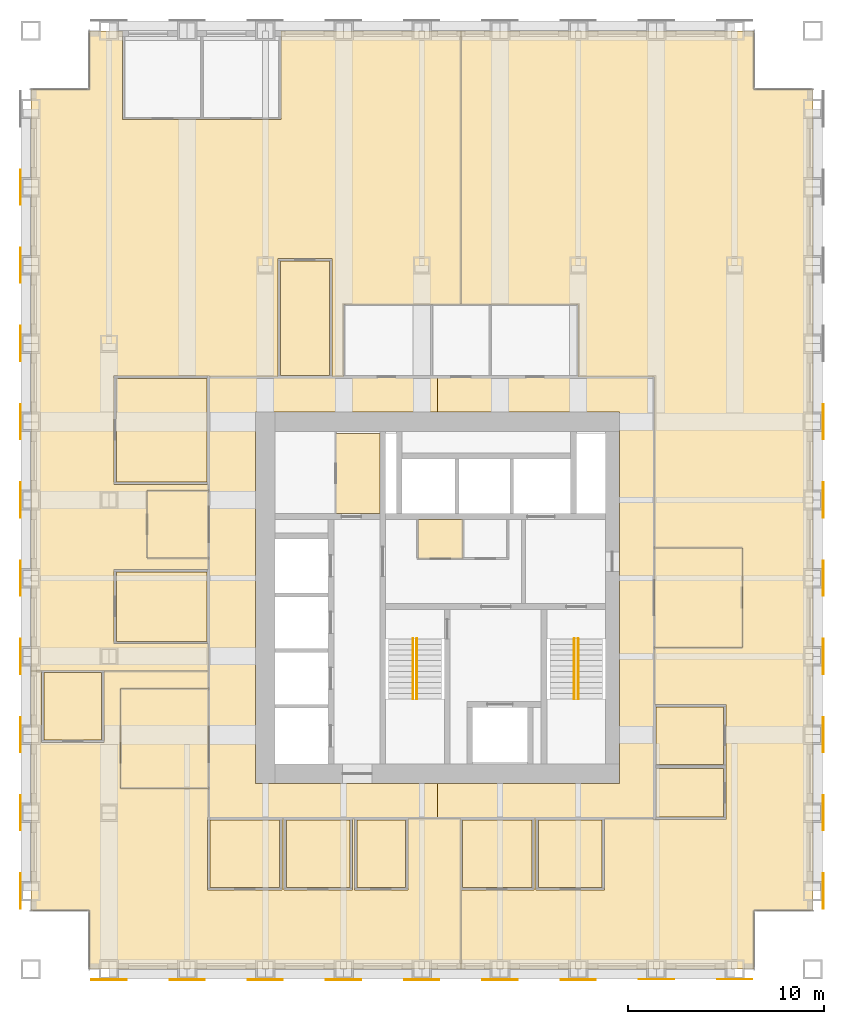
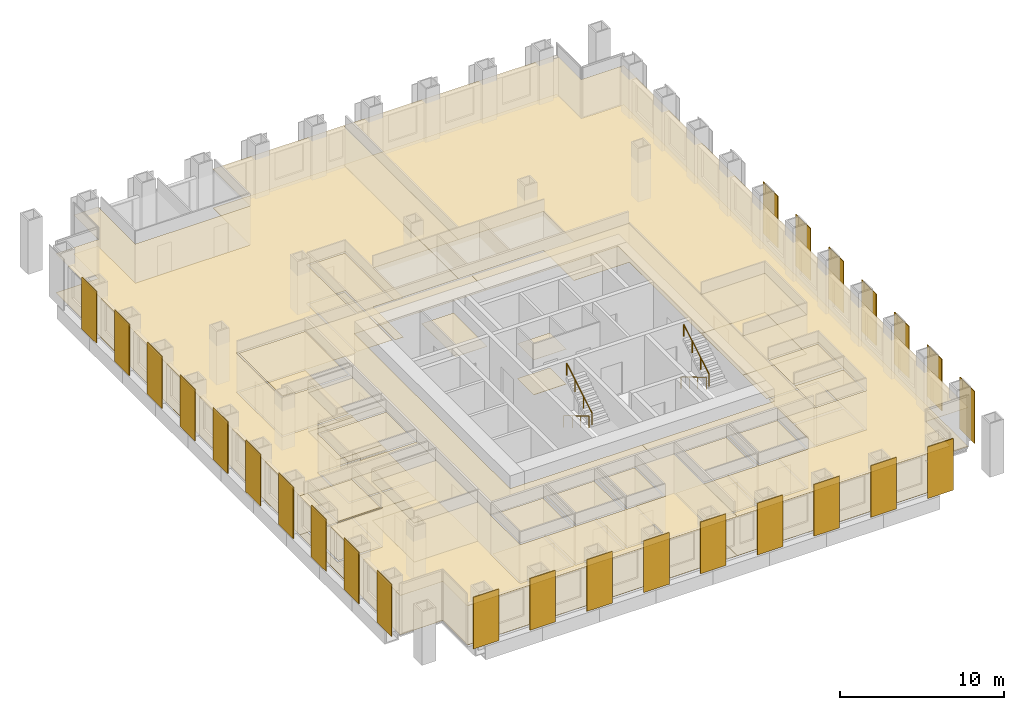
# One storey, part 13 of 14: 39 coverings, 26 shading devices, 4 railings.
"""IFC4 building model written with IfcOpenShell, lengths in metres."""

from ifc_helpers import new_model, si_unit, direction, frame, origin, origin_2d, place, context, subcontext, project, spatial, polyline, rectangle, circle, outline, extrude, material, layer, layer_set, type_object, element, save


model = new_model("IFC4")

# Units and contexts
model_context = context("Model", 3, precision=1e-05, world=origin(), true_north=direction((0.0, 1.0)))
body_context = subcontext(model_context, "Body", "Model", "MODEL_VIEW")
ifc_project = project(units=[si_unit("LENGTHUNIT", "METRE"), si_unit("AREAUNIT", "SQUARE_METRE"), si_unit("VOLUMEUNIT", "CUBIC_METRE"), si_unit("PLANEANGLEUNIT", "RADIAN"), si_unit("MASSUNIT", "GRAM", prefix="KILO")], contexts=[model_context])

# Site, building, storey
site_placement = place(None, origin())
site = spatial("IfcSite", under=ifc_project, at=site_placement, CompositionType="ELEMENT")
building_placement = place(site_placement, origin())
building = spatial("IfcBuilding", under=site, at=building_placement, Name="Rimbunsela Tower", CompositionType="ELEMENT")
storey_placement = place(building_placement, frame((0.0, 0.0, 183.800048828125)))
storey = spatial("IfcBuildingStorey", under=building, at=storey_placement, Name="L44", CompositionType="ELEMENT", Elevation=183.800048828125)

# Coverings
ifc_material_1 = material(Name="Nylon carpet tile", Category="textile")
ifc_layer_1 = layer(ifc_material_1, 0.010009765625)
ifc_layer_set_1 = layer_set([ifc_layer_1], Name="Carpet tile 10")
covering_type_1 = type_object("IfcCoveringType", Name="Carpet tile 10", PredefinedType="FLOORING", material=ifc_layer_set_1)
covering_1_placement = place(storey_placement, origin())
element("IfcCovering", 1, at=covering_1_placement, inside=storey, type_object=covering_type_1, Name="Floor finish Open office", PredefinedType="FLOORING", context=body_context, shape_type="SweptSolid", body=[
    extrude(outline(polyline([(18.85009765625, 15.699951171875), (18.949951171875, 15.699951171875), (18.949951171875, 12.050048828125), (22.449951171875, 12.050048828125), (22.449951171875, 15.699951171875), (22.550048828125, 15.699951171875), (22.550048828125, 12.050048828125), (25.300048828125, 12.050048828125), (25.300048828125, 15.699951171875), (27.9990234375, 15.699951171875), (27.9990234375, 8.0), (15.10009765625, 8.0), (9.0, 8.0), (9.0, 11.0), (6.0, 11.0), (6.0, 23.2490234375), (6.550048828125, 23.2490234375), (6.550048828125, 19.60009765625), (9.75, 19.60009765625), (9.75, 23.2490234375), (15.10009765625, 23.2490234375), (15.10009765625, 22.34912109375), (10.60009765625, 22.34912109375), (10.60009765625, 17.2490234375), (15.10009765625, 17.2490234375), (15.10009765625, 15.75), (15.050048828125, 15.75), (15.050048828125, 12.050048828125), (15.10009765625, 12.050048828125), (18.85009765625, 12.050048828125), (18.85009765625, 15.699951171875)])), origin(), (0.0, 0.0, 1.0), 0.010009765625),
])
covering_2_placement = place(storey_placement, origin())
element("IfcCovering", 2, at=covering_2_placement, inside=storey, type_object=covering_type_1, Name="Floor finish Open office", PredefinedType="FLOORING", context=body_context, shape_type="SweptSolid", body=[
    extrude(outline(polyline([(14.699951171875, 51.449951171875), (14.800048828125, 51.449951171875), (15.10009765625, 51.449951171875), (18.800048828125, 51.449951171875), (18.800048828125, 56.0), (27.9990234375, 56.0), (27.9990234375, 42.0), (22.0, 42.0), (22.0, 38.300048828125), (21.39990234375, 38.300048828125), (21.39990234375, 44.35009765625), (18.64990234375, 44.35009765625), (18.64990234375, 38.300048828125), (15.14990234375, 38.300048828125), (15.14990234375, 38.35009765625), (15.10009765625, 38.35009765625), (10.25, 38.35009765625), (10.25, 32.800048828125), (15.10009765625, 32.800048828125), (15.10009765625, 32.47509765625), (11.949951171875, 32.47509765625), (11.949951171875, 29.02490234375), (15.10009765625, 29.02490234375), (15.10009765625, 28.449951171875), (10.25, 28.449951171875), (10.25, 24.64990234375), (15.10009765625, 24.64990234375), (15.10009765625, 23.2509765625), (6.0, 23.2509765625), (6.0, 53.0), (9.0, 53.0), (9.0, 56.0), (10.699951171875, 56.0), (10.699951171875, 51.449951171875), (14.699951171875, 51.449951171875)])), origin(), (0.0, 0.0, 1.0), 0.010009765625),
])
covering_3_placement = place(storey_placement, origin())
element("IfcCovering", 3, at=covering_3_placement, inside=storey, type_object=covering_type_1, Name="Floor finish Open office", PredefinedType="FLOORING", context=body_context, shape_type="SweptSolid", body=[
    extrude(outline(polyline([(28.0009765625, 12.050048828125), (31.75, 12.050048828125), (31.75, 15.699951171875), (31.85009765625, 15.699951171875), (31.85009765625, 12.050048828125), (35.35009765625, 12.050048828125), (35.35009765625, 15.699951171875), (37.85009765625, 15.699951171875), (37.85009765625, 15.64990234375), (37.89990234375, 15.64990234375), (41.550048828125, 15.64990234375), (41.550048828125, 18.35009765625), (41.550048828125, 18.39990234375), (41.550048828125, 21.550048828125), (37.89990234375, 21.550048828125), (37.89990234375, 24.449951171875), (42.39990234375, 24.449951171875), (42.39990234375, 29.550048828125), (37.89990234375, 29.550048828125), (37.89990234375, 38.300048828125), (34.0, 38.300048828125), (34.0, 42.0), (28.0009765625, 42.0), (28.0009765625, 56.0), (37.89990234375, 56.0), (43.0, 56.0), (43.0, 53.0), (46.0, 53.0), (46.0, 11.0), (43.0, 11.0), (43.0, 8.0), (37.89990234375, 8.0), (28.0009765625, 8.0), (28.0009765625, 12.050048828125)])), origin(), (0.0, 0.0, 1.0), 0.010009765625),
])
covering_4_placement = place(storey_placement, origin())
element("IfcCovering", 4, at=covering_4_placement, inside=storey, type_object=covering_type_1, Name="Floor finish Reception", PredefinedType="FLOORING", context=body_context, shape_type="SweptSolid", body=[
    extrude(outline(polyline([(15.10009765625, 17.2490234375), (15.10009765625, 22.34912109375), (10.60009765625, 22.34912109375), (10.60009765625, 17.2490234375), (15.10009765625, 17.2490234375)])), origin(), (0.0, 0.0, 1.0), 0.010009765625),
])
covering_5_placement = place(storey_placement, origin())
element("IfcCovering", 5, at=covering_5_placement, inside=storey, type_object=covering_type_1, Name="Floor finish Reception", PredefinedType="FLOORING", context=body_context, shape_type="SweptSolid", body=[
    extrude(outline(polyline([(15.10009765625, 29.02490234375), (15.10009765625, 32.47509765625), (11.949951171875, 32.47509765625), (11.949951171875, 29.02490234375), (15.10009765625, 29.02490234375)])), origin(), (0.0, 0.0, 1.0), 0.010009765625),
])
covering_6_placement = place(storey_placement, origin())
element("IfcCovering", 6, at=covering_6_placement, inside=storey, type_object=covering_type_1, Name="Floor finish Reception", PredefinedType="FLOORING", context=body_context, shape_type="SweptSolid", body=[
    extrude(outline(polyline([(42.39990234375, 24.449951171875), (42.39990234375, 29.550048828125), (37.89990234375, 29.550048828125), (37.89990234375, 24.449951171875), (42.39990234375, 24.449951171875)])), origin(), (0.0, 0.0, 1.0), 0.010009765625),
])
covering_7_placement = place(storey_placement, origin())
element("IfcCovering", 7, at=covering_7_placement, inside=storey, type_object=covering_type_1, Name="Floor finish Pantry", PredefinedType="FLOORING", context=body_context, shape_type="SweptSolid", body=[
    extrude(outline(polyline([(15.02490234375, 32.925048828125), (15.02490234375, 38.22509765625), (10.375, 38.22509765625), (10.375, 32.925048828125), (15.02490234375, 32.925048828125)])), origin(), (0.0, 0.0, 1.0), 0.010009765625),
])
covering_8_placement = place(storey_placement, origin())
element("IfcCovering", 8, at=covering_8_placement, inside=storey, type_object=covering_type_1, Name="Floor finish Meeting room", PredefinedType="FLOORING", context=body_context, shape_type="SweptSolid", body=[
    extrude(outline(polyline([(18.72509765625, 12.175048828125), (18.72509765625, 15.625), (15.175048828125, 15.625), (15.175048828125, 12.175048828125), (18.72509765625, 12.175048828125)])), origin(), (0.0, 0.0, 1.0), 0.010009765625),
])
covering_9_placement = place(storey_placement, origin())
element("IfcCovering", 9, at=covering_9_placement, inside=storey, type_object=covering_type_1, Name="Floor finish Pantry", PredefinedType="FLOORING", context=body_context, shape_type="SweptSolid", body=[
    extrude(outline(polyline([(22.324951171875, 12.175048828125), (22.324951171875, 15.625), (19.074951171875, 15.625), (19.074951171875, 12.175048828125), (22.324951171875, 12.175048828125)])), origin(), (0.0, 0.0, 1.0), 0.010009765625),
])
covering_10_placement = place(storey_placement, origin())
element("IfcCovering", 10, at=covering_10_placement, inside=storey, type_object=covering_type_1, Name="Floor finish Print and copy room", PredefinedType="FLOORING", context=body_context, shape_type="SweptSolid", body=[
    extrude(outline(polyline([(25.175048828125, 12.175048828125), (25.175048828125, 15.625), (22.675048828125, 15.625), (22.675048828125, 12.175048828125), (25.175048828125, 12.175048828125)])), origin(), (0.0, 0.0, 1.0), 0.010009765625),
])
covering_11_placement = place(storey_placement, origin())
element("IfcCovering", 11, at=covering_11_placement, inside=storey, type_object=covering_type_1, Name="Floor finish Office", PredefinedType="FLOORING", context=body_context, shape_type="SweptSolid", body=[
    extrude(outline(polyline([(9.625, 19.72509765625), (9.625, 23.175048828125), (6.675048828125, 23.175048828125), (6.675048828125, 19.72509765625), (9.625, 19.72509765625)])), origin(), (0.0, 0.0, 1.0), 0.010009765625),
])
covering_12_placement = place(storey_placement, origin())
element("IfcCovering", 12, at=covering_12_placement, inside=storey, type_object=covering_type_1, Name="Floor finish Meeting room", PredefinedType="FLOORING", context=body_context, shape_type="SweptSolid", body=[
    extrude(outline(polyline([(15.02490234375, 24.77490234375), (15.02490234375, 28.324951171875), (10.375, 28.324951171875), (10.375, 24.77490234375), (15.02490234375, 24.77490234375)])), origin(), (0.0, 0.0, 1.0), 0.010009765625),
])
covering_13_placement = place(storey_placement, origin())
element("IfcCovering", 13, at=covering_13_placement, inside=storey, type_object=covering_type_1, Name="Floor finish Print and copy room", PredefinedType="FLOORING", context=body_context, shape_type="SweptSolid", body=[
    extrude(outline(polyline([(21.27490234375, 38.375), (21.27490234375, 44.22509765625), (18.77490234375, 44.22509765625), (18.77490234375, 38.375), (21.27490234375, 38.375)])), origin(), (0.0, 0.0, 1.0), 0.010009765625),
])
covering_14_placement = place(storey_placement, origin())
element("IfcCovering", 14, at=covering_14_placement, inside=storey, type_object=covering_type_1, Name="Floor finish Meeting room", PredefinedType="FLOORING", context=body_context, shape_type="SweptSolid", body=[
    extrude(outline(polyline([(31.625, 12.175048828125), (31.625, 15.625), (28.074951171875, 15.625), (28.074951171875, 12.175048828125), (31.625, 12.175048828125)])), origin(), (0.0, 0.0, 1.0), 0.010009765625),
])
covering_15_placement = place(storey_placement, origin())
element("IfcCovering", 15, at=covering_15_placement, inside=storey, type_object=covering_type_1, Name="Floor finish Pantry", PredefinedType="FLOORING", context=body_context, shape_type="SweptSolid", body=[
    extrude(outline(polyline([(35.22509765625, 12.175048828125), (35.22509765625, 15.625), (31.97509765625, 15.625), (31.97509765625, 12.175048828125), (35.22509765625, 12.175048828125)])), origin(), (0.0, 0.0, 1.0), 0.010009765625),
])
covering_16_placement = place(storey_placement, origin())
element("IfcCovering", 16, at=covering_16_placement, inside=storey, type_object=covering_type_1, Name="Floor finish Print and copy room", PredefinedType="FLOORING", context=body_context, shape_type="SweptSolid", body=[
    extrude(outline(polyline([(41.425048828125, 15.77490234375), (41.425048828125, 18.27490234375), (37.97509765625, 18.27490234375), (37.97509765625, 15.77490234375), (41.425048828125, 15.77490234375)])), origin(), (0.0, 0.0, 1.0), 0.010009765625),
])
covering_17_placement = place(storey_placement, origin())
element("IfcCovering", 17, at=covering_17_placement, inside=storey, type_object=covering_type_1, Name="Floor finish Office", PredefinedType="FLOORING", context=body_context, shape_type="SweptSolid", body=[
    extrude(outline(polyline([(41.425048828125, 18.47509765625), (41.425048828125, 21.425048828125), (37.97509765625, 21.425048828125), (37.97509765625, 18.47509765625), (41.425048828125, 18.47509765625)])), origin(), (0.0, 0.0, 1.0), 0.010009765625),
])
ifc_material_2 = material(Name="Mineral fibre ceiling tile", Category="gypsum")
ifc_layer_2 = layer(ifc_material_2, 0.02001953125)
ifc_layer_set_2 = layer_set([ifc_layer_2], Name="Ceiling 600 grid")
covering_type_2 = type_object("IfcCoveringType", Name="Ceiling 600 grid", PredefinedType="CEILING", material=ifc_layer_set_2)
covering_18_placement = place(storey_placement, frame((0.0, 0.0, 2.89990234375)))
element("IfcCovering", 18, at=covering_18_placement, inside=storey, type_object=covering_type_2, Name="Ceiling Staff pantry", PredefinedType="CEILING", context=body_context, shape_type="SweptSolid", body=[
    extrude(outline(polyline([(23.85009765625, 31.300048828125), (23.85009765625, 35.39990234375), (21.60009765625, 35.39990234375), (21.60009765625, 31.300048828125), (23.85009765625, 31.300048828125)])), origin(), (0.0, 0.0, 1.0), 0.02001953125),
])
covering_19_placement = place(storey_placement, frame((0.0, 0.0, 2.89990234375)))
element("IfcCovering", 19, at=covering_19_placement, inside=storey, type_object=covering_type_2, Name="Ceiling Ring corridor", PredefinedType="CEILING", context=body_context, shape_type="SweptSolid", body=[
    extrude(outline(polyline([(15.10009765625, 38.300048828125), (26.800048828125, 38.300048828125), (26.800048828125, 36.5), (17.5, 36.5), (17.5, 17.5), (26.800048828125, 17.5), (26.800048828125, 15.699951171875), (15.10009765625, 15.699951171875), (15.10009765625, 38.300048828125)])), origin(), (0.0, 0.0, 1.0), 0.02001953125),
])
covering_20_placement = place(storey_placement, frame((0.0, 0.0, 2.89990234375)))
element("IfcCovering", 20, at=covering_20_placement, inside=storey, type_object=covering_type_2, Name="Ceiling Ring corridor", PredefinedType="CEILING", context=body_context, shape_type="SweptSolid", body=[
    extrude(outline(polyline([(37.89990234375, 38.300048828125), (37.89990234375, 15.699951171875), (26.800048828125, 15.699951171875), (26.800048828125, 17.5), (36.10009765625, 17.5), (36.10009765625, 36.5), (26.800048828125, 36.5), (26.800048828125, 38.300048828125), (37.89990234375, 38.300048828125)])), origin(), (0.0, 0.0, 1.0), 0.02001953125),
])
covering_21_placement = place(storey_placement, frame((0.0, 0.0, 2.89990234375)))
element("IfcCovering", 21, at=covering_21_placement, inside=storey, type_object=covering_type_2, Name="Ceiling Open office", PredefinedType="CEILING", context=body_context, shape_type="SweptSolid", body=[
    extrude(outline(polyline([(18.85009765625, 15.699951171875), (18.949951171875, 15.699951171875), (18.949951171875, 12.050048828125), (22.449951171875, 12.050048828125), (22.449951171875, 15.699951171875), (22.550048828125, 15.699951171875), (22.550048828125, 12.050048828125), (25.300048828125, 12.050048828125), (25.300048828125, 15.699951171875), (27.9990234375, 15.699951171875), (27.9990234375, 8.0), (15.10009765625, 8.0), (9.0, 8.0), (9.0, 11.0), (6.0, 11.0), (6.0, 23.2490234375), (6.550048828125, 23.2490234375), (6.550048828125, 19.60009765625), (9.75, 19.60009765625), (9.75, 23.2490234375), (15.10009765625, 23.2490234375), (15.10009765625, 22.34912109375), (10.60009765625, 22.34912109375), (10.60009765625, 17.2490234375), (15.10009765625, 17.2490234375), (15.10009765625, 15.75), (15.050048828125, 15.75), (15.050048828125, 12.050048828125), (15.10009765625, 12.050048828125), (18.85009765625, 12.050048828125), (18.85009765625, 15.699951171875)])), origin(), (0.0, 0.0, 1.0), 0.02001953125),
])
covering_22_placement = place(storey_placement, frame((0.0, 0.0, 2.89990234375)))
element("IfcCovering", 22, at=covering_22_placement, inside=storey, type_object=covering_type_2, Name="Ceiling Open office", PredefinedType="CEILING", context=body_context, shape_type="SweptSolid", body=[
    extrude(outline(polyline([(14.699951171875, 51.449951171875), (14.800048828125, 51.449951171875), (15.10009765625, 51.449951171875), (18.800048828125, 51.449951171875), (18.800048828125, 56.0), (27.9990234375, 56.0), (27.9990234375, 42.0), (22.0, 42.0), (22.0, 38.300048828125), (21.39990234375, 38.300048828125), (21.39990234375, 44.35009765625), (18.64990234375, 44.35009765625), (18.64990234375, 38.300048828125), (15.14990234375, 38.300048828125), (15.14990234375, 38.35009765625), (15.10009765625, 38.35009765625), (10.25, 38.35009765625), (10.25, 32.800048828125), (15.10009765625, 32.800048828125), (15.10009765625, 32.47509765625), (11.949951171875, 32.47509765625), (11.949951171875, 29.02490234375), (15.10009765625, 29.02490234375), (15.10009765625, 28.449951171875), (10.25, 28.449951171875), (10.25, 24.64990234375), (15.10009765625, 24.64990234375), (15.10009765625, 23.2509765625), (6.0, 23.2509765625), (6.0, 53.0), (9.0, 53.0), (9.0, 56.0), (10.699951171875, 56.0), (10.699951171875, 51.449951171875), (14.699951171875, 51.449951171875)])), origin(), (0.0, 0.0, 1.0), 0.02001953125),
])
covering_23_placement = place(storey_placement, frame((0.0, 0.0, 2.89990234375)))
element("IfcCovering", 23, at=covering_23_placement, inside=storey, type_object=covering_type_2, Name="Ceiling Open office", PredefinedType="CEILING", context=body_context, shape_type="SweptSolid", body=[
    extrude(outline(polyline([(28.0009765625, 12.050048828125), (31.75, 12.050048828125), (31.75, 15.699951171875), (31.85009765625, 15.699951171875), (31.85009765625, 12.050048828125), (35.35009765625, 12.050048828125), (35.35009765625, 15.699951171875), (37.85009765625, 15.699951171875), (37.85009765625, 15.64990234375), (37.89990234375, 15.64990234375), (41.550048828125, 15.64990234375), (41.550048828125, 18.35009765625), (41.550048828125, 18.39990234375), (41.550048828125, 21.550048828125), (37.89990234375, 21.550048828125), (37.89990234375, 24.449951171875), (42.39990234375, 24.449951171875), (42.39990234375, 29.550048828125), (37.89990234375, 29.550048828125), (37.89990234375, 38.300048828125), (34.0, 38.300048828125), (34.0, 42.0), (28.0009765625, 42.0), (28.0009765625, 56.0), (37.89990234375, 56.0), (43.0, 56.0), (43.0, 53.0), (46.0, 53.0), (46.0, 11.0), (43.0, 11.0), (43.0, 8.0), (37.89990234375, 8.0), (28.0009765625, 8.0), (28.0009765625, 12.050048828125)])), origin(), (0.0, 0.0, 1.0), 0.02001953125),
])
covering_24_placement = place(storey_placement, frame((0.0, 0.0, 2.89990234375)))
element("IfcCovering", 24, at=covering_24_placement, inside=storey, type_object=covering_type_2, Name="Ceiling Reception", PredefinedType="CEILING", context=body_context, shape_type="SweptSolid", body=[
    extrude(outline(polyline([(15.10009765625, 17.2490234375), (15.10009765625, 22.34912109375), (10.60009765625, 22.34912109375), (10.60009765625, 17.2490234375), (15.10009765625, 17.2490234375)])), origin(), (0.0, 0.0, 1.0), 0.02001953125),
])
covering_25_placement = place(storey_placement, frame((0.0, 0.0, 2.89990234375)))
element("IfcCovering", 25, at=covering_25_placement, inside=storey, type_object=covering_type_2, Name="Ceiling Reception", PredefinedType="CEILING", context=body_context, shape_type="SweptSolid", body=[
    extrude(outline(polyline([(15.10009765625, 29.02490234375), (15.10009765625, 32.47509765625), (11.949951171875, 32.47509765625), (11.949951171875, 29.02490234375), (15.10009765625, 29.02490234375)])), origin(), (0.0, 0.0, 1.0), 0.02001953125),
])
covering_26_placement = place(storey_placement, frame((0.0, 0.0, 2.89990234375)))
element("IfcCovering", 26, at=covering_26_placement, inside=storey, type_object=covering_type_2, Name="Ceiling Reception", PredefinedType="CEILING", context=body_context, shape_type="SweptSolid", body=[
    extrude(outline(polyline([(42.39990234375, 24.449951171875), (42.39990234375, 29.550048828125), (37.89990234375, 29.550048828125), (37.89990234375, 24.449951171875), (42.39990234375, 24.449951171875)])), origin(), (0.0, 0.0, 1.0), 0.02001953125),
])
covering_27_placement = place(storey_placement, frame((0.0, 0.0, 2.89990234375)))
element("IfcCovering", 27, at=covering_27_placement, inside=storey, type_object=covering_type_2, Name="Ceiling Pantry", PredefinedType="CEILING", context=body_context, shape_type="SweptSolid", body=[
    extrude(outline(polyline([(15.02490234375, 32.925048828125), (15.02490234375, 38.22509765625), (10.375, 38.22509765625), (10.375, 32.925048828125), (15.02490234375, 32.925048828125)])), origin(), (0.0, 0.0, 1.0), 0.02001953125),
])
covering_28_placement = place(storey_placement, frame((0.0, 0.0, 2.89990234375)))
element("IfcCovering", 28, at=covering_28_placement, inside=storey, type_object=covering_type_2, Name="Ceiling Meeting room", PredefinedType="CEILING", context=body_context, shape_type="SweptSolid", body=[
    extrude(outline(polyline([(18.72509765625, 12.175048828125), (18.72509765625, 15.625), (15.175048828125, 15.625), (15.175048828125, 12.175048828125), (18.72509765625, 12.175048828125)])), origin(), (0.0, 0.0, 1.0), 0.02001953125),
])
covering_29_placement = place(storey_placement, frame((0.0, 0.0, 2.89990234375)))
element("IfcCovering", 29, at=covering_29_placement, inside=storey, type_object=covering_type_2, Name="Ceiling Pantry", PredefinedType="CEILING", context=body_context, shape_type="SweptSolid", body=[
    extrude(outline(polyline([(22.324951171875, 12.175048828125), (22.324951171875, 15.625), (19.074951171875, 15.625), (19.074951171875, 12.175048828125), (22.324951171875, 12.175048828125)])), origin(), (0.0, 0.0, 1.0), 0.02001953125),
])
covering_30_placement = place(storey_placement, frame((0.0, 0.0, 2.89990234375)))
element("IfcCovering", 30, at=covering_30_placement, inside=storey, type_object=covering_type_2, Name="Ceiling Print and copy room", PredefinedType="CEILING", context=body_context, shape_type="SweptSolid", body=[
    extrude(outline(polyline([(25.175048828125, 12.175048828125), (25.175048828125, 15.625), (22.675048828125, 15.625), (22.675048828125, 12.175048828125), (25.175048828125, 12.175048828125)])), origin(), (0.0, 0.0, 1.0), 0.02001953125),
])
covering_31_placement = place(storey_placement, frame((0.0, 0.0, 2.89990234375)))
element("IfcCovering", 31, at=covering_31_placement, inside=storey, type_object=covering_type_2, Name="Ceiling Office", PredefinedType="CEILING", context=body_context, shape_type="SweptSolid", body=[
    extrude(outline(polyline([(9.625, 19.72509765625), (9.625, 23.175048828125), (6.675048828125, 23.175048828125), (6.675048828125, 19.72509765625), (9.625, 19.72509765625)])), origin(), (0.0, 0.0, 1.0), 0.02001953125),
])
covering_32_placement = place(storey_placement, frame((0.0, 0.0, 2.89990234375)))
element("IfcCovering", 32, at=covering_32_placement, inside=storey, type_object=covering_type_2, Name="Ceiling Meeting room", PredefinedType="CEILING", context=body_context, shape_type="SweptSolid", body=[
    extrude(outline(polyline([(15.02490234375, 24.77490234375), (15.02490234375, 28.324951171875), (10.375, 28.324951171875), (10.375, 24.77490234375), (15.02490234375, 24.77490234375)])), origin(), (0.0, 0.0, 1.0), 0.02001953125),
])
covering_33_placement = place(storey_placement, frame((0.0, 0.0, 2.89990234375)))
element("IfcCovering", 33, at=covering_33_placement, inside=storey, type_object=covering_type_2, Name="Ceiling Print and copy room", PredefinedType="CEILING", context=body_context, shape_type="SweptSolid", body=[
    extrude(outline(polyline([(21.27490234375, 38.375), (21.27490234375, 44.22509765625), (18.77490234375, 44.22509765625), (18.77490234375, 38.375), (21.27490234375, 38.375)])), origin(), (0.0, 0.0, 1.0), 0.02001953125),
])
covering_34_placement = place(storey_placement, frame((0.0, 0.0, 2.89990234375)))
element("IfcCovering", 34, at=covering_34_placement, inside=storey, type_object=covering_type_2, Name="Ceiling Meeting room", PredefinedType="CEILING", context=body_context, shape_type="SweptSolid", body=[
    extrude(outline(polyline([(31.625, 12.175048828125), (31.625, 15.625), (28.074951171875, 15.625), (28.074951171875, 12.175048828125), (31.625, 12.175048828125)])), origin(), (0.0, 0.0, 1.0), 0.02001953125),
])
covering_35_placement = place(storey_placement, frame((0.0, 0.0, 2.89990234375)))
element("IfcCovering", 35, at=covering_35_placement, inside=storey, type_object=covering_type_2, Name="Ceiling Pantry", PredefinedType="CEILING", context=body_context, shape_type="SweptSolid", body=[
    extrude(outline(polyline([(35.22509765625, 12.175048828125), (35.22509765625, 15.625), (31.97509765625, 15.625), (31.97509765625, 12.175048828125), (35.22509765625, 12.175048828125)])), origin(), (0.0, 0.0, 1.0), 0.02001953125),
])
covering_36_placement = place(storey_placement, frame((0.0, 0.0, 2.89990234375)))
element("IfcCovering", 36, at=covering_36_placement, inside=storey, type_object=covering_type_2, Name="Ceiling Print and copy room", PredefinedType="CEILING", context=body_context, shape_type="SweptSolid", body=[
    extrude(outline(polyline([(41.425048828125, 15.77490234375), (41.425048828125, 18.27490234375), (37.97509765625, 18.27490234375), (37.97509765625, 15.77490234375), (41.425048828125, 15.77490234375)])), origin(), (0.0, 0.0, 1.0), 0.02001953125),
])
covering_37_placement = place(storey_placement, frame((0.0, 0.0, 2.89990234375)))
element("IfcCovering", 37, at=covering_37_placement, inside=storey, type_object=covering_type_2, Name="Ceiling Office", PredefinedType="CEILING", context=body_context, shape_type="SweptSolid", body=[
    extrude(outline(polyline([(41.425048828125, 18.47509765625), (41.425048828125, 21.425048828125), (37.97509765625, 21.425048828125), (37.97509765625, 18.47509765625), (41.425048828125, 18.47509765625)])), origin(), (0.0, 0.0, 1.0), 0.02001953125),
])
ifc_material_3 = material(Name="Moisture-resistant plasterboard ceiling", Category="gypsum")
ifc_layer_3 = layer(ifc_material_3, 0.012451171875)
ifc_layer_set_3 = layer_set([ifc_layer_3], Name="Ceiling moisture-resistant board")
covering_type_3 = type_object("IfcCoveringType", Name="Ceiling moisture-resistant board", PredefinedType="CEILING", material=ifc_layer_set_3)
covering_38_placement = place(storey_placement, frame((0.0, 0.0, 2.599853515625)))
element("IfcCovering", 38, at=covering_38_placement, inside=storey, type_object=covering_type_3, Name="Ceiling Staff WC", PredefinedType="CEILING", context=body_context, shape_type="SweptSolid", body=[
    extrude(outline(polyline([(28.10009765625, 29.0), (28.10009765625, 31.0), (25.800048828125, 31.0), (25.800048828125, 29.0), (28.10009765625, 29.0)])), origin(), (0.0, 0.0, 1.0), 0.02001953125),
])
ifc_material_4 = material(Name="Porcelain floor tile in adhesive bed", Category="ceramic")
ifc_layer_4 = layer(ifc_material_4, 0.02001953125)
ifc_layer_set_4 = layer_set([ifc_layer_4], Name="Porcelain tile 20")
covering_type_4 = type_object("IfcCoveringType", Name="Porcelain tile 20", PredefinedType="FLOORING", material=ifc_layer_set_4)
covering_39_placement = place(storey_placement, origin())
element("IfcCovering", 39, at=covering_39_placement, inside=storey, type_object=covering_type_4, Name="Floor finish Staff WC", PredefinedType="FLOORING", context=body_context, shape_type="SweptSolid", body=[
    extrude(outline(polyline([(28.10009765625, 29.0), (28.10009765625, 31.0), (25.800048828125, 31.0), (25.800048828125, 29.0), (28.10009765625, 29.0)])), origin(), (0.0, 0.0, 1.0), 0.02001953125),
])

# Shading devices
ifc_material_5 = material(Name="Perforated aluminium, 35 % open area", Category="aluminium")
ifc_layer_5 = layer(ifc_material_5, 0.050048828125)
ifc_layer_set_5 = layer_set([ifc_layer_5], Name="Solar screen panel 1800")
shading_device_type = type_object("IfcShadingDeviceType", Name="Solar screen panel 1800", PredefinedType="USERDEFINED", material=ifc_layer_set_5)
for number, where, z_axis, x_axis, name in (
    (40, (10.0, 7.47509765625, 0.0), (0.0, 0.0, 1.0), (1.0, 0.0, 0.0), "Solar screen S L44"),
    (41, (14.0, 7.47509765625, 0.0), (0.0, 0.0, 1.0), (1.0, 0.0, 0.0), "Solar screen S L44"),
    (42, (18.0, 7.47509765625, 0.0), (0.0, 0.0, 1.0), (1.0, 0.0, 0.0), "Solar screen S L44"),
    (43, (22.0, 7.47509765625, 0.0), (0.0, 0.0, 1.0), (1.0, 0.0, 0.0), "Solar screen S L44"),
    (44, (26.0, 7.47509765625, 0.0), (0.0, 0.0, 1.0), (1.0, 0.0, 0.0), "Solar screen S L44"),
    (45, (30.0, 7.47509765625, 0.0), (0.0, 0.0, 1.0), (1.0, 0.0, 0.0), "Solar screen S L44"),
    (46, (34.0, 7.47509765625, 0.0), (0.0, 0.0, 1.0), (1.0, 0.0, 0.0), "Solar screen S L44"),
    (47, (38.0, 7.47509765625, 0.0), (0.0, 0.0, 1.0), (1.0, 0.0, 0.0), "Solar screen S L44"),
    (48, (42.0, 7.47509765625, 0.0), (0.0, 0.0, 1.0), (1.0, 0.0, 0.0), "Solar screen S L44"),
    (49, (46.52490234375, 12.0, 0.0), (0.0, 0.0, 1.0), (0.0, 1.0, 0.0), "Solar screen E L44"),
    (50, (46.52490234375, 16.0, 0.0), (0.0, 0.0, 1.0), (0.0, 1.0, 0.0), "Solar screen E L44"),
    (51, (46.52490234375, 20.0, 0.0), (0.0, 0.0, 1.0), (0.0, 1.0, 0.0), "Solar screen E L44"),
    (52, (46.52490234375, 24.0, 0.0), (0.0, 0.0, 1.0), (0.0, 1.0, 0.0), "Solar screen E L44"),
    (53, (46.52490234375, 28.0, 0.0), (0.0, 0.0, 1.0), (0.0, 1.0, 0.0), "Solar screen E L44"),
    (54, (46.52490234375, 32.0, 0.0), (0.0, 0.0, 1.0), (0.0, 1.0, 0.0), "Solar screen E L44"),
    (55, (46.52490234375, 36.0, 0.0), (0.0, 0.0, 1.0), (0.0, 1.0, 0.0), "Solar screen E L44"),
    (56, (5.47509765625, 12.0, 0.0), (0.0, 0.0, 1.0), (0.0, 1.0, 0.0), "Solar screen W L44"),
    (57, (5.47509765625, 16.0, 0.0), (0.0, 0.0, 1.0), (0.0, 1.0, 0.0), "Solar screen W L44"),
    (58, (5.47509765625, 20.0, 0.0), (0.0, 0.0, 1.0), (0.0, 1.0, 0.0), "Solar screen W L44"),
    (59, (5.47509765625, 24.0, 0.0), (0.0, 0.0, 1.0), (0.0, 1.0, 0.0), "Solar screen W L44"),
    (60, (5.47509765625, 28.0, 0.0), (0.0, 0.0, 1.0), (0.0, 1.0, 0.0), "Solar screen W L44"),
    (61, (5.47509765625, 32.0, 0.0), (0.0, 0.0, 1.0), (0.0, 1.0, 0.0), "Solar screen W L44"),
    (62, (5.47509765625, 36.0, 0.0), (0.0, 0.0, 1.0), (0.0, 1.0, 0.0), "Solar screen W L44"),
    (63, (5.47509765625, 40.0, 0.0), (0.0, 0.0, 1.0), (0.0, 1.0, 0.0), "Solar screen W L44"),
    (64, (5.47509765625, 44.0, 0.0), (0.0, 0.0, 1.0), (0.0, 1.0, 0.0), "Solar screen W L44"),
    (65, (5.47509765625, 48.0, 0.0), (0.0, 0.0, 1.0), (0.0, 1.0, 0.0), "Solar screen W L44"),
):
    element("IfcShadingDevice", number, at=place(storey_placement, frame(where, z_axis=z_axis, x_axis=x_axis)), inside=storey, type_object=shading_device_type, Name=name, ObjectType="SCREEN", PredefinedType="USERDEFINED", context=body_context, shape_type="SweptSolid", body=[
        extrude(rectangle(XDim=1.800048828125, YDim=0.050048828125, at=origin_2d()), origin(), (0.0, 0.0, 1.0), 3.85009765625),
    ])

# Railings
ifc_material_6 = material(Name="Stainless steel tube", Category="steel")
railing_type = type_object("IfcRailingType", Name="Stair handrail 900", PredefinedType="HANDRAIL", material=ifc_material_6)
railing_1_placement = place(storey_placement, frame((25.550048828125, 24.89990234375, 0.16650390625)))
element("IfcRailing", 66, at=railing_1_placement, inside=storey, type_object=railing_type, Name="Handrail ST-A flight 1", PredefinedType="HANDRAIL", context=body_context, shape_type="SweptSolid", body=[
    extrude(circle(Radius=0.02392578125, at=origin_2d()), frame((0.0, 0.0, 0.8759765625), z_axis=(0.0, -0.859260807169, 0.511537745687), x_axis=(1.0, 0.0, 0.0)), (0.0, 0.0, 1.0), 3.584228515625),
    extrude(circle(Radius=0.02099609375, at=origin_2d()), origin(), (0.0, 0.0, 1.0), 0.851806640625),
    extrude(circle(Radius=0.02099609375, at=origin_2d()), frame((0.0, -1.026611328125, 0.611083984375)), (0.0, 0.0, 1.0), 0.851806640625),
    extrude(circle(Radius=0.02099609375, at=origin_2d()), frame((0.0, -2.05322265625, 1.222412109375)), (0.0, 0.0, 1.0), 0.851806640625),
    extrude(circle(Radius=0.02099609375, at=origin_2d()), frame((0.0, -3.079833984375, 1.83349609375)), (0.0, 0.0, 1.0), 0.851806640625),
])
railing_2_placement = place(storey_placement, frame((25.75, 21.820068359375, 2.16650390625)))
element("IfcRailing", 67, at=railing_2_placement, inside=storey, type_object=railing_type, Name="Handrail ST-A flight 2", PredefinedType="HANDRAIL", context=body_context, shape_type="SweptSolid", body=[
    extrude(circle(Radius=0.02392578125, at=origin_2d()), frame((0.0, 0.0, 0.8759765625), z_axis=(0.0, 0.859260807169, 0.511537745687), x_axis=(-1.0, 0.0, 0.0)), (0.0, 0.0, 1.0), 3.584228515625),
    extrude(circle(Radius=0.02099609375, at=origin_2d()), origin(), (0.0, 0.0, 1.0), 0.851806640625),
    extrude(circle(Radius=0.02099609375, at=origin_2d()), frame((0.0, 1.026611328125, 0.611083984375)), (0.0, 0.0, 1.0), 0.851806640625),
    extrude(circle(Radius=0.02099609375, at=origin_2d()), frame((0.0, 2.05322265625, 1.222412109375)), (0.0, 0.0, 1.0), 0.851806640625),
    extrude(circle(Radius=0.02099609375, at=origin_2d()), frame((0.0, 3.079833984375, 1.83349609375)), (0.0, 0.0, 1.0), 0.851806640625),
])
railing_3_placement = place(storey_placement, frame((33.800048828125, 24.89990234375, 0.16650390625)))
element("IfcRailing", 68, at=railing_3_placement, inside=storey, type_object=railing_type, Name="Handrail ST-B flight 1", PredefinedType="HANDRAIL", context=body_context, shape_type="SweptSolid", body=[
    extrude(circle(Radius=0.02392578125, at=origin_2d()), frame((0.0, 0.0, 0.8759765625), z_axis=(0.0, -0.859260807169, 0.511537745687), x_axis=(1.0, 0.0, 0.0)), (0.0, 0.0, 1.0), 3.584228515625),
    extrude(circle(Radius=0.02099609375, at=origin_2d()), origin(), (0.0, 0.0, 1.0), 0.851806640625),
    extrude(circle(Radius=0.02099609375, at=origin_2d()), frame((0.0, -1.026611328125, 0.611083984375)), (0.0, 0.0, 1.0), 0.851806640625),
    extrude(circle(Radius=0.02099609375, at=origin_2d()), frame((0.0, -2.05322265625, 1.222412109375)), (0.0, 0.0, 1.0), 0.851806640625),
    extrude(circle(Radius=0.02099609375, at=origin_2d()), frame((0.0, -3.079833984375, 1.83349609375)), (0.0, 0.0, 1.0), 0.851806640625),
])
railing_4_placement = place(storey_placement, frame((34.0, 21.820068359375, 2.16650390625)))
element("IfcRailing", 69, at=railing_4_placement, inside=storey, type_object=railing_type, Name="Handrail ST-B flight 2", PredefinedType="HANDRAIL", context=body_context, shape_type="SweptSolid", body=[
    extrude(circle(Radius=0.02392578125, at=origin_2d()), frame((0.0, 0.0, 0.8759765625), z_axis=(0.0, 0.859260807169, 0.511537745687), x_axis=(-1.0, 0.0, 0.0)), (0.0, 0.0, 1.0), 3.584228515625),
    extrude(circle(Radius=0.02099609375, at=origin_2d()), origin(), (0.0, 0.0, 1.0), 0.851806640625),
    extrude(circle(Radius=0.02099609375, at=origin_2d()), frame((0.0, 1.026611328125, 0.611083984375)), (0.0, 0.0, 1.0), 0.851806640625),
    extrude(circle(Radius=0.02099609375, at=origin_2d()), frame((0.0, 2.05322265625, 1.222412109375)), (0.0, 0.0, 1.0), 0.851806640625),
    extrude(circle(Radius=0.02099609375, at=origin_2d()), frame((0.0, 3.079833984375, 1.83349609375)), (0.0, 0.0, 1.0), 0.851806640625),
])

save(model, "model.ifc")
